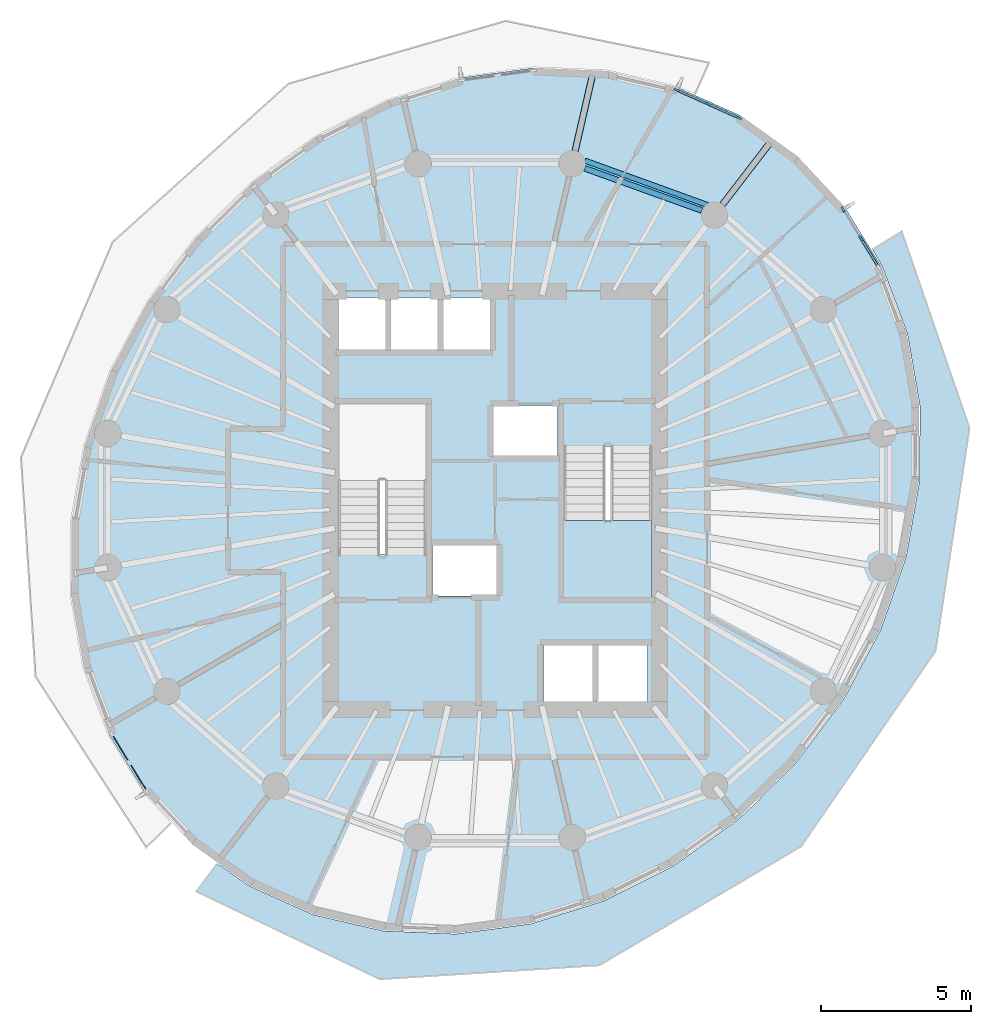
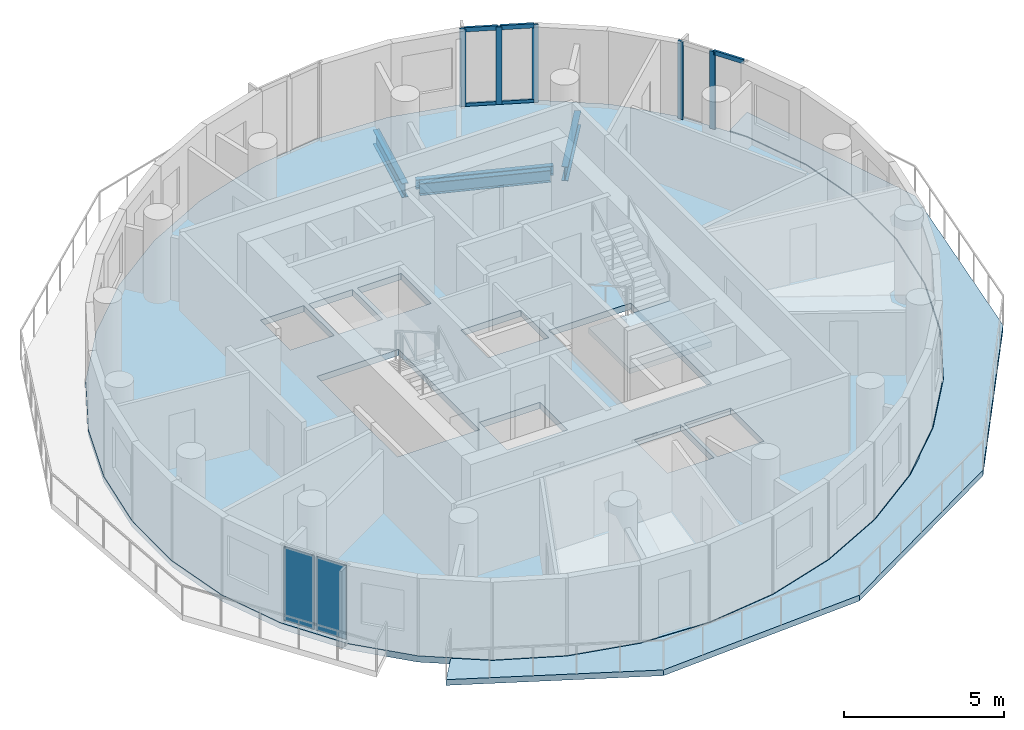
# One storey, part 3 of 10: 10 members, 4 beams, 3 slabs, 2 plates, 4 elements without a shape of their own.
"""IFC4 building model written with IfcOpenShell, lengths in metres."""

from ifc_helpers import new_model, si_unit, direction, frame, origin, origin_2d, place, context, subcontext, project, spatial, polyline, rectangle, i_section, outline, extrude, material, layer, layer_set, material_profile, profile_set, type_object, element, aggregate, save


model = new_model("IFC4")

# Units and contexts
model_context = context("Model", 3, precision=1e-05, world=origin(), true_north=direction((0.0, 1.0)))
body_context = subcontext(model_context, "Body", "Model", "MODEL_VIEW")
ifc_project = project(units=[si_unit("LENGTHUNIT", "METRE"), si_unit("AREAUNIT", "SQUARE_METRE"), si_unit("VOLUMEUNIT", "CUBIC_METRE"), si_unit("PLANEANGLEUNIT", "RADIAN"), si_unit("MASSUNIT", "GRAM", prefix="KILO")], contexts=[model_context])

# Site, building, storey
site_placement = place(None, origin())
site = spatial("IfcSite", under=ifc_project, at=site_placement, CompositionType="ELEMENT")
building_placement = place(site_placement, origin())
building = spatial("IfcBuilding", under=site, at=building_placement, Name="Veldorim Arch Residences", CompositionType="ELEMENT")
storey_placement = place(building_placement, frame((0.0, 0.0, 195.0400390625)))
storey = spatial("IfcBuildingStorey", under=building, at=storey_placement, Name="L58", CompositionType="ELEMENT", Elevation=195.0400390625)

# Beams
ifc_material_1 = material(Name="Steel S355", Category="steel")
ifc_material_profile_1 = material_profile(ifc_material_1, i_section(OverallWidth=0.2119140625, OverallDepth=0.54443359375, WebThickness=0.0126953125, FlangeThickness=0.021240234375, at=origin_2d()), Name="UB533x210x122")
ifc_profile_set_1 = profile_set([ifc_material_profile_1], Name="Steel S355")
beam_type_1 = type_object("IfcBeamType", Name="Structural Steel Beam UB533x210x122", PredefinedType="BEAM", material=ifc_profile_set_1)
beam_1_placement = place(storey_placement, frame((39.345703125, 33.561279296875, -0.512451171875), z_axis=(0.609260847512, 0.792969873128, 0.0), x_axis=(-0.792969873128, 0.609260847512, 0.0)))
element("IfcBeam", 1, at=beam_1_placement, inside=storey, type_object=beam_type_1, Name="L58 radial edge cantilever girder 03", PredefinedType="BEAM", context=body_context, shape_type="SweptSolid", body=[
    extrude(i_section(OverallWidth=0.2119140625, OverallDepth=0.54443359375, WebThickness=0.0126953125, FlangeThickness=0.021240234375, at=origin_2d()), origin(), (0.0, 0.0, 1.0), 3.09521484375),
])
beam_2_placement = place(storey_placement, frame((34.57958984375, 35.27880859375, -0.512451171875), z_axis=(0.222992392333, 0.974820184937, 0.0), x_axis=(-0.974820184937, 0.222992392333, 0.0)))
element("IfcBeam", 2, at=beam_2_placement, inside=storey, type_object=beam_type_1, Name="L58 radial edge cantilever girder 04", PredefinedType="BEAM", context=body_context, shape_type="SweptSolid", body=[
    extrude(i_section(OverallWidth=0.2119140625, OverallDepth=0.54443359375, WebThickness=0.0126953125, FlangeThickness=0.021240234375, at=origin_2d()), origin(), (0.0, 0.0, 1.0), 3.085205078125),
])
ifc_material_2 = material(Name="Steel S355", Category="steel")
ifc_material_profile_2 = material_profile(ifc_material_2, i_section(OverallWidth=0.172119140625, OverallDepth=0.35791015625, WebThickness=0.008056640625, FlangeThickness=0.012939453125, at=origin_2d()), Name="UB356x171x57")
ifc_profile_set_2 = profile_set([ifc_material_profile_2], Name="Steel S355")
beam_type_2 = type_object("IfcBeamType", Name="Structural Steel Spandrel UB356x171x57", PredefinedType="SPANDREL", material=ifc_profile_set_2)
beam_3_placement = place(storey_placement, frame((39.112060546875, 33.87646484375, -0.43896484375), z_axis=(-0.940164695555, 0.340720332871, 0.0), x_axis=(-0.340720332871, -0.940164695555, 0.0)))
element("IfcBeam", 3, at=beam_3_placement, inside=storey, type_object=beam_type_2, Name="L58 perimeter chord spandrel beam 03", PredefinedType="SPANDREL", context=body_context, shape_type="SweptSolid", body=[
    extrude(i_section(OverallWidth=0.172119140625, OverallDepth=0.35791015625, WebThickness=0.008056640625, FlangeThickness=0.012939453125, at=origin_2d()), origin(), (0.0, 0.0, 1.0), 4.370849609375),
])
ifc_material_3 = material(Name="Steel S355", Category="steel")
ifc_material_profile_3 = material_profile(ifc_material_3, i_section(OverallWidth=0.19140625, OverallDepth=0.4599609375, WebThickness=0.010009765625, FlangeThickness=0.01611328125, at=origin_2d()), Name="UB457x191x82")
ifc_profile_set_3 = profile_set([ifc_material_profile_3], Name="Steel S355")
beam_type_3 = type_object("IfcBeamType", Name="Structural Steel Spandrel UB457x191x82", PredefinedType="SPANDREL", material=ifc_profile_set_3)
beam_4_placement = place(storey_placement, frame((38.91015625, 33.69775390625, -0.469970703125), z_axis=(-0.940811035395, 0.338931550137, 0.0), x_axis=(-0.338931550137, -0.940811035395, 0.0)))
element("IfcBeam", 4, at=beam_4_placement, inside=storey, type_object=beam_type_3, Name="L58 perimeter ring tie beam 03", PredefinedType="SPANDREL", context=body_context, shape_type="SweptSolid", body=[
    extrude(i_section(OverallWidth=0.19140625, OverallDepth=0.4599609375, WebThickness=0.010009765625, FlangeThickness=0.01611328125, at=origin_2d()), origin(), (0.0, 0.0, 1.0), 4.15771484375),
])

# Curtain wall, members
ifc_material_4 = material(Name="Aluminium", Category="aluminium")
curtain_wall_type = type_object("IfcCurtainWallType", Name="Zone 4 High-Altitude Unitised Curtain Wall", PredefinedType="NOTDEFINED", material=ifc_material_4)
curtain_wall_1_placement = place(storey_placement, origin())
curtain_wall_1 = element("IfcCurtainWall", 5, at=curtain_wall_1_placement, inside=storey, type_object=curtain_wall_type, Name="L58 unitised curtain wall bay 02", PredefinedType="NOTDEFINED")
ifc_material_5 = material(Name="Aluminium", Category="aluminium")
ifc_material_profile_4 = material_profile(ifc_material_5, rectangle(XDim=0.074951171875, YDim=0.195068359375, at=origin_2d()), Name="ALU_MUL_75x195")
ifc_profile_set_4 = profile_set([ifc_material_profile_4], Name="Aluminium")
member_type_1 = type_object("IfcMemberType", Name="Zone 4 High-Altitude Unitised Curtain Wall Mullion 75x195", PredefinedType="MULLION", material=ifc_profile_set_4)
member_1_placement = place(storey_placement, frame((38.071533203125, 37.726806640625, 0.0), z_axis=(0.0, 0.0, 1.0), x_axis=(0.409148886329, 0.912467637133, 0.0)))
member_1 = element("IfcMember", 6, at=member_1_placement, type_object=member_type_1, Name="CW-Z4 mullion 1", PredefinedType="MULLION", context=body_context, shape_type="SweptSolid", body=[
    extrude(rectangle(XDim=0.074951171875, YDim=0.195068359375, at=origin_2d()), origin(), (0.0, 0.0, 1.0), 2.9599609375),
])
member_2_placement = place(storey_placement, frame((39.10791015625, 37.261962890625, 0.0), z_axis=(0.0, 0.0, 1.0), x_axis=(0.409148886329, 0.912467637133, 0.0)))
member_2 = element("IfcMember", 7, at=member_2_placement, type_object=member_type_1, Name="CW-Z4 mullion 2", PredefinedType="MULLION", context=body_context, shape_type="SweptSolid", body=[
    extrude(rectangle(XDim=0.074951171875, YDim=0.195068359375, at=origin_2d()), origin(), (0.0, 0.0, 1.0), 2.9599609375),
])
member_3_placement = place(storey_placement, frame((40.14453125, 36.79736328125, 0.0), z_axis=(0.0, 0.0, 1.0), x_axis=(0.409148886329, 0.912467637133, 0.0)))
member_3 = element("IfcMember", 8, at=member_3_placement, type_object=member_type_1, Name="CW-Z4 mullion 3", PredefinedType="MULLION", context=body_context, shape_type="SweptSolid", body=[
    extrude(rectangle(XDim=0.074951171875, YDim=0.195068359375, at=origin_2d()), origin(), (0.0, 0.0, 1.0), 2.9599609375),
])

curtain_wall_2_placement = place(storey_placement, origin())
curtain_wall_2 = element("IfcCurtainWall", 9, at=curtain_wall_2_placement, inside=storey, type_object=curtain_wall_type, Name="L58 unitised curtain wall bay 35", PredefinedType="NOTDEFINED")
member_4_placement = place(storey_placement, frame((43.634765625, 33.73291015625, 0.0), z_axis=(0.0, 0.0, 1.0), x_axis=(0.851801663929, 0.523864415023, 0.0)))
member_4 = element("IfcMember", 10, at=member_4_placement, type_object=member_type_1, Name="CW-Z4 mullion 1", PredefinedType="MULLION", context=body_context, shape_type="SweptSolid", body=[
    extrude(rectangle(XDim=0.074951171875, YDim=0.195068359375, at=origin_2d()), origin(), (0.0, 0.0, 1.0), 2.9599609375),
])
member_5_placement = place(storey_placement, frame((44.22998046875, 32.765380859375, 0.0), z_axis=(0.0, 0.0, 1.0), x_axis=(0.851801663929, 0.523864415023, 0.0)))
member_5 = element("IfcMember", 11, at=member_5_placement, type_object=member_type_1, Name="CW-Z4 mullion 2", PredefinedType="MULLION", context=body_context, shape_type="SweptSolid", body=[
    extrude(rectangle(XDim=0.074951171875, YDim=0.195068359375, at=origin_2d()), origin(), (0.0, 0.0, 1.0), 2.9599609375),
])

# Member
ifc_material_6 = material(Name="Aluminium", Category="aluminium")
ifc_material_profile_5 = material_profile(ifc_material_6, rectangle(XDim=0.074951171875, YDim=0.1650390625, at=origin_2d()), Name="ALU_TRN_75x165")
ifc_profile_set_5 = profile_set([ifc_material_profile_5], Name="Aluminium")
member_type_2 = type_object("IfcMemberType", Name="Zone 4 High-Altitude Unitised Curtain Wall Transom 75x165", PredefinedType="USERDEFINED", material=ifc_profile_set_5)
member_6_placement = place(storey_placement, frame((38.105712890625, 37.71142578125, 0.037353515625), z_axis=(0.912458962781, -0.409168230977, 0.0), x_axis=(0.409168230977, 0.912458962781, 0.0)))
member_6 = element("IfcMember", 12, at=member_6_placement, type_object=member_type_2, Name="CW-Z4 transom 1.1", ObjectType="TRANSOM", PredefinedType="USERDEFINED", context=body_context, shape_type="SweptSolid", body=[
    extrude(rectangle(XDim=0.074951171875, YDim=0.1650390625, at=origin_2d()), origin(), (0.0, 0.0, 1.0), 1.060791015625),
])

member_7_placement = place(storey_placement, frame((38.105712890625, 37.71142578125, 2.92236328125), z_axis=(0.912458962781, -0.409168230977, 0.0), x_axis=(0.409168230977, 0.912458962781, 0.0)))
member_7 = element("IfcMember", 13, at=member_7_placement, type_object=member_type_2, Name="CW-Z4 transom 1.2", ObjectType="TRANSOM", PredefinedType="USERDEFINED", context=body_context, shape_type="SweptSolid", body=[
    extrude(rectangle(XDim=0.074951171875, YDim=0.1650390625, at=origin_2d()), origin(), (0.0, 0.0, 1.0), 1.060791015625),
])

member_8_placement = place(storey_placement, frame((39.142333984375, 37.24658203125, 0.037353515625), z_axis=(0.912458962781, -0.409168230977, 0.0), x_axis=(0.409168230977, 0.912458962781, 0.0)))
member_8 = element("IfcMember", 14, at=member_8_placement, type_object=member_type_2, Name="CW-Z4 transom 2.1", ObjectType="TRANSOM", PredefinedType="USERDEFINED", context=body_context, shape_type="SweptSolid", body=[
    extrude(rectangle(XDim=0.074951171875, YDim=0.1650390625, at=origin_2d()), origin(), (0.0, 0.0, 1.0), 1.060791015625),
])

member_9_placement = place(storey_placement, frame((39.142333984375, 37.24658203125, 2.92236328125), z_axis=(0.912458962781, -0.409168230977, 0.0), x_axis=(0.409168230977, 0.912458962781, 0.0)))
member_9 = element("IfcMember", 15, at=member_9_placement, type_object=member_type_2, Name="CW-Z4 transom 2.2", ObjectType="TRANSOM", PredefinedType="USERDEFINED", context=body_context, shape_type="SweptSolid", body=[
    extrude(rectangle(XDim=0.074951171875, YDim=0.1650390625, at=origin_2d()), origin(), (0.0, 0.0, 1.0), 1.060791015625),
])

aggregate(curtain_wall_1, [member_1, member_2, member_3, member_6, member_7, member_8, member_9])

member_10_placement = place(storey_placement, frame((44.24951171875, 32.7333984375, 2.92236328125), z_axis=(0.524007543384, -0.851713622338, 0.0), x_axis=(0.851713622338, 0.524007543384, 0.0)))
member_10 = element("IfcMember", 16, at=member_10_placement, type_object=member_type_2, Name="CW-Z4 transom 2.2", ObjectType="TRANSOM", PredefinedType="USERDEFINED", context=body_context, shape_type="SweptSolid", body=[
    extrude(rectangle(XDim=0.074951171875, YDim=0.1650390625, at=origin_2d()), origin(), (0.0, 0.0, 1.0), 1.060791015625),
])

aggregate(curtain_wall_2, [member_4, member_5, member_10])

# Slab
ifc_material_7 = material(Name="Concrete C40/50", Category="concrete")
ifc_layer_1 = layer(ifc_material_7, 0.219970703125, Name="Planted Crescent Cantilever Balcony Slab 220")
ifc_layer_set_1 = layer_set([ifc_layer_1], Name="Concrete C40/50")
slab_type_1 = type_object("IfcSlabType", Name="Planted Crescent Cantilever Balcony Slab 220", PredefinedType="FLOOR", material=ifc_layer_set_1)
slab_1_placement = place(storey_placement, frame((0.0, 0.0, -0.219970703125)))
element("IfcSlab", 17, at=slab_1_placement, inside=storey, type_object=slab_type_1, Name="L58 planted crescent balcony slab B", PredefinedType="FLOOR", context=body_context, shape_type="SweptSolid", body=[
    extrude(outline(polyline([(22.8125, 11.79931640625), (23.77197265625, 11.1142578125), (25.91796875, 10.152099609375), (28.24853515625, 9.61083984375), (30.69287109375, 9.5068359375), (33.1767578125, 9.843505859375), (35.62451171875, 10.60986328125), (37.96240234375, 11.783203125), (40.118896484375, 13.327392578125), (40.820556640625, 13.9833984375), (40.89111328125, 14.0830078125), (42.02880859375, 15.19580078125), (43.634033203125, 17.33154296875), (44.885986328125, 19.669921875), (45.74658203125, 22.139892578125), (46.189697265625, 24.66650390625), (46.197021484375, 26.152587890625), (46.222412109375, 26.2763671875), (46.197998046875, 26.369384765625), (46.201904296875, 27.1728515625), (45.7822265625, 29.583251953125), (44.94384765625, 31.823974609375), (44.61572265625, 32.398681640625), (45.59619140625, 32.999755859375), (47.863525390625, 26.423095703125), (46.723388671875, 18.954345703125), (42.234375, 12.4306640625), (35.486328125, 8.456298828125), (28.14404296875, 7.9912109375), (22.00048828125, 10.927001953125), (22.690673828125, 11.8466796875), (22.8125, 11.79931640625)])), origin(), (0.0, 0.0, 1.0), 0.219970703125),
])

# Stair, slab
ifc_material_8 = material(Name="Concrete C40/50", Category="concrete")
stair_type = type_object("IfcStairType", Name="Reinforced Concrete Dogleg Exit Staircase", PredefinedType="HALF_TURN_STAIR", material=ifc_material_8)
stair_placement = place(storey_placement, origin())
stair = element("IfcStair", 18, at=stair_placement, inside=storey, type_object=stair_type, Name="L58 Exit Staircase ST-2", PredefinedType="HALF_TURN_STAIR")
ifc_material_9 = material(Name="Concrete C40/50", Category="concrete")
ifc_layer_2 = layer(ifc_material_9, 0.199951171875, Name="Reinforced Concrete Stair Landing 200")
ifc_layer_set_2 = layer_set([ifc_layer_2], Name="Concrete C40/50")
slab_type_2 = type_object("IfcSlabType", Name="Reinforced Concrete Stair Landing 200", PredefinedType="LANDING", material=ifc_layer_set_2)
slab_2_placement = place(storey_placement, frame((0.0, 0.0, 1.39990234375)))
slab_2 = element("IfcSlab", 19, at=slab_2_placement, type_object=slab_type_2, Name="ST-2 landing 1", PredefinedType="LANDING", context=body_context, shape_type="SweptSolid", body=[
    extrude(outline(polyline([(34.2900390625, 23.330078125), (34.2900390625, 20.75), (37.25, 20.75), (37.25, 23.330078125), (34.2900390625, 23.330078125)])), origin(), (0.0, 0.0, 1.0), 0.199951171875),
])
aggregate(stair, [slab_2])

# Slab
ifc_material_10 = material(Name="Concrete C40/50", Category="concrete")
ifc_layer_3 = layer(ifc_material_10, 0.239990234375, Name="Typical Residential Floor Slab 240")
ifc_layer_set_3 = layer_set([ifc_layer_3], Name="Concrete C40/50")
slab_type_3 = type_object("IfcSlabType", Name="Typical Residential Floor Slab 240", PredefinedType="FLOOR", material=ifc_layer_set_3)
slab_3_placement = place(storey_placement, frame((0.0, 0.0, -0.239990234375)))
element("IfcSlab", 20, at=slab_3_placement, inside=storey, type_object=slab_type_3, Name="L58 tower structural floor slab", PredefinedType="FLOOR", context=body_context, shape_type="SweptSolid", body=[
    extrude(outline(polyline([(42.107177734375, 35.512939453125), (40.215576171875, 36.864013671875), (38.07421875, 37.82421875), (35.748046875, 38.3642578125), (33.308349609375, 38.468017578125), (30.828857421875, 38.132080078125), (28.384765625, 37.36669921875), (26.050537109375, 36.1953125), (23.897216796875, 34.6533203125), (21.989990234375, 32.78759765625), (20.38720703125, 30.655029296875), (19.136962890625, 28.320068359375), (18.277587890625, 25.85400390625), (17.835205078125, 23.331298828125), (17.8232421875, 20.829345703125), (18.241943359375, 18.42333984375), (19.07861328125, 16.18701171875), (20.30810546875, 14.18798828125), (21.892822265625, 12.487060546875), (23.784423828125, 11.135986328125), (25.92578125, 10.17578125), (28.251953125, 9.6357421875), (30.691650390625, 9.531982421875), (33.171142578125, 9.867919921875), (35.615234375, 10.63330078125), (37.949462890625, 11.8046875), (40.102783203125, 13.3466796875), (42.010009765625, 15.21240234375), (43.61279296875, 17.344970703125), (44.863037109375, 19.679931640625), (45.722412109375, 22.14599609375), (46.164794921875, 24.668701171875), (46.1767578125, 27.170654296875), (45.758056640625, 29.57666015625), (44.92138671875, 31.81298828125), (43.69189453125, 33.81201171875), (42.107177734375, 35.512939453125)]), holes=[polyline([(33.610107421875, 17.2099609375), (33.610107421875, 19.2900390625), (35.2900390625, 19.2900390625), (35.2900390625, 17.2099609375), (33.610107421875, 17.2099609375)]), polyline([(35.409912109375, 17.2099609375), (35.409912109375, 19.2900390625), (37.090087890625, 19.2900390625), (37.090087890625, 17.2099609375), (35.409912109375, 17.2099609375)]), polyline([(29.909912109375, 20.81494140625), (29.909912109375, 22.544921875), (32.090087890625, 22.544921875), (32.090087890625, 20.81494140625), (29.909912109375, 20.81494140625)]), polyline([(34.2900390625, 20.75), (34.2900390625, 25.804931640625), (37.25, 25.804931640625), (37.25, 20.75), (34.2900390625, 20.75)]), polyline([(26.75, 22.195068359375), (26.75, 27.25), (29.7099609375, 27.25), (29.7099609375, 22.195068359375), (26.75, 22.195068359375)]), polyline([(31.909912109375, 25.455078125), (31.909912109375, 27.18505859375), (34.090087890625, 27.18505859375), (34.090087890625, 25.455078125), (31.909912109375, 25.455078125)]), polyline([(26.760009765625, 28.909912109375), (26.760009765625, 30.7900390625), (28.340087890625, 30.7900390625), (28.340087890625, 28.909912109375), (26.760009765625, 28.909912109375)]), polyline([(28.510009765625, 30.7900390625), (30.090087890625, 30.7900390625), (30.090087890625, 28.909912109375), (28.510009765625, 28.909912109375), (28.510009765625, 30.7900390625)]), polyline([(30.260009765625, 30.7900390625), (31.840087890625, 30.7900390625), (31.840087890625, 28.909912109375), (30.260009765625, 28.909912109375), (30.260009765625, 30.7900390625)])]), origin(), (0.0, 0.0, 1.0), 0.239990234375),
])

# Curtain wall, plates
curtain_wall_3_placement = place(storey_placement, origin())
curtain_wall_3 = element("IfcCurtainWall", 21, at=curtain_wall_3_placement, inside=storey, type_object=curtain_wall_type, Name="L58 unitised curtain wall bay 17", PredefinedType="NOTDEFINED")
ifc_material_11 = material(Name="Laminated Low-E Glass", Category="glass")
ifc_layer_4 = layer(ifc_material_11, 0.030029296875, Name="Zone 4 High-Altitude Unitised Curtain Wall Glazing Panel 30")
ifc_layer_set_4 = layer_set([ifc_layer_4], Name="Laminated Low-E Glass")
plate_type = type_object("IfcPlateType", Name="Zone 4 High-Altitude Unitised Curtain Wall Glazing Panel 30", PredefinedType="CURTAIN_PANEL", material=ifc_layer_set_4)
plate_1_placement = place(storey_placement, frame((20.067626953125, 14.750732421875, 0.074951171875), z_axis=(0.0, 0.0, 1.0), x_axis=(-0.523864415023, 0.851801663929, 0.0)))
plate_1 = element("IfcPlate", 22, at=plate_1_placement, type_object=plate_type, Name="CW-Z4 panel 1.1", PredefinedType="CURTAIN_PANEL", context=body_context, shape_type="SweptSolid", body=[
    extrude(rectangle(XDim=1.060791015625, YDim=0.030029296875, at=origin_2d()), origin(), (0.0, 0.0, 1.0), 2.81005859375),
])
plate_2_placement = place(storey_placement, frame((19.47265625, 15.71826171875, 0.074951171875), z_axis=(0.0, 0.0, 1.0), x_axis=(-0.523864415023, 0.851801663929, 0.0)))
plate_2 = element("IfcPlate", 23, at=plate_2_placement, type_object=plate_type, Name="CW-Z4 panel 2.1", PredefinedType="CURTAIN_PANEL", context=body_context, shape_type="SweptSolid", body=[
    extrude(rectangle(XDim=1.060791015625, YDim=0.030029296875, at=origin_2d()), origin(), (0.0, 0.0, 1.0), 2.81005859375),
])
aggregate(curtain_wall_3, [plate_1, plate_2])

save(model, "model.ifc")
